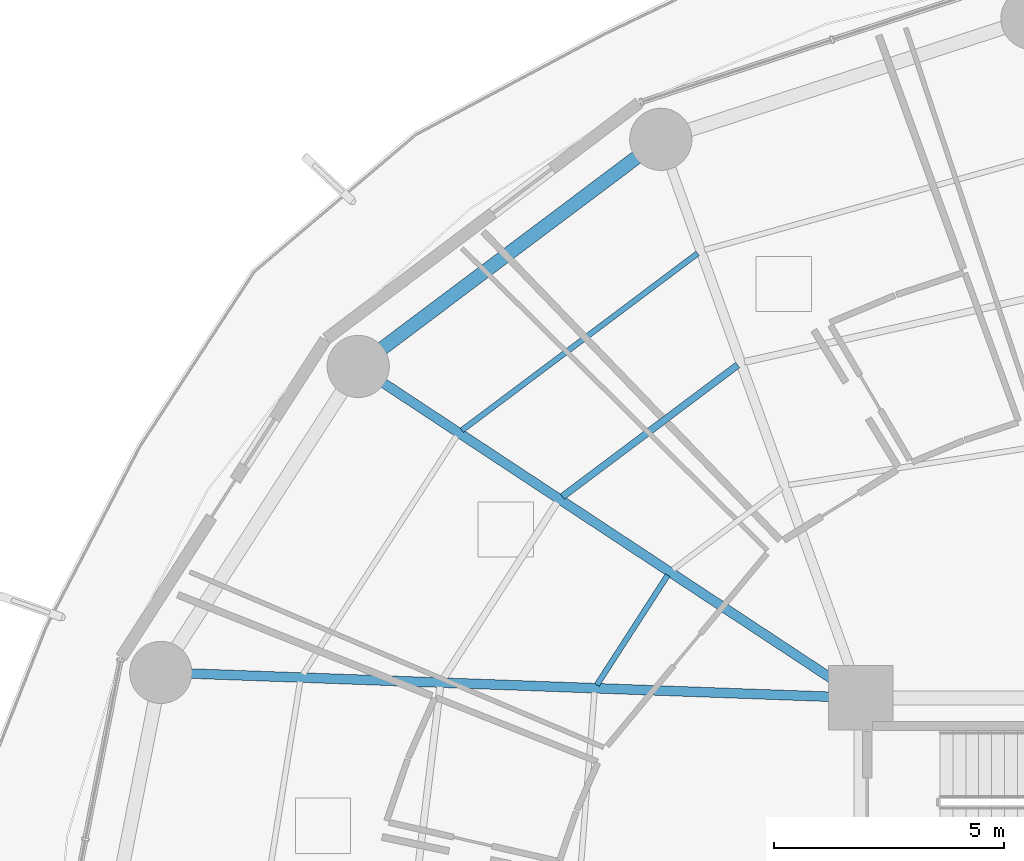
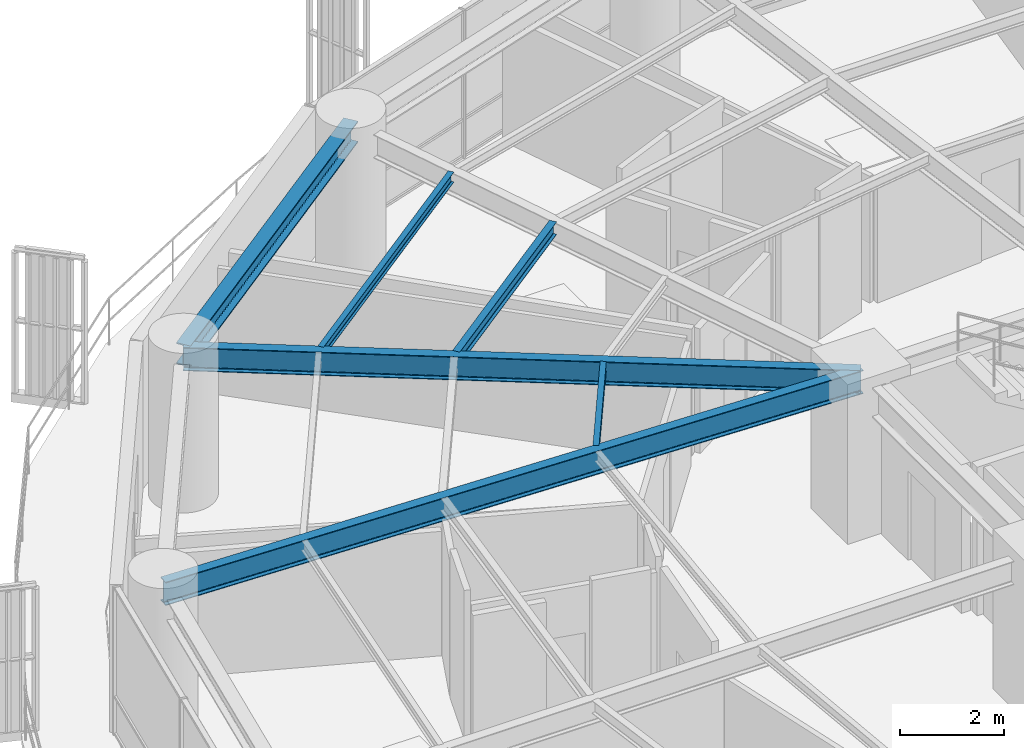
# One storey, part 16 of 33: 6 beams.
"""IFC4 building model written with IfcOpenShell, lengths in metres."""

import ifcopenshell
import ifcopenshell.guid

model = None  # the IFC model being written
_history = None  # IfcOwnerHistory: only IFC2X3 demands one
_inside = {}  # id of a spatial element -> (the spatial element, [elements in it])
_under = {}  # id of a project, library or spatial element -> (it, [spatial elements below it])
_declared = {}  # id of a project -> (the project, [libraries it declares])
_typed = {}  # id of a type object -> (the type object, [elements of that type])
_made_of = {}  # id of a material, layer set ... -> (it, [elements and type objects made of it])


def new_model(schema):
    """Start an empty IFC model of exactly this schema.

    Asked for "IFC4X3", IfcOpenShell would pick the latest addendum, in which some entities
    have other attributes; the version numbers below select the first issue.
    IFC2X3 requires an IfcOwnerHistory on every rooted entity: one is made here for all.
    """
    global model, _history
    if schema == "IFC4X3":
        model = ifcopenshell.file(schema_version=(4, 3, 0, 0))
    else:
        model = ifcopenshell.file(schema=schema)
    _inside.clear()
    _under.clear()
    _declared.clear()
    _typed.clear()
    _made_of.clear()
    _history = None
    if model.schema == "IFC2X3":
        org = make("IfcOrganization", Name="unknown")
        user = make(
            "IfcPersonAndOrganization",
            ThePerson=make("IfcPerson", FamilyName="unknown"),
            TheOrganization=org,
        )
        app = make(
            "IfcApplication",
            ApplicationDeveloper=org,
            Version="unknown",
            ApplicationFullName="unknown",
            ApplicationIdentifier="unknown",
        )
        _history = make(
            "IfcOwnerHistory",
            OwningUser=user,
            OwningApplication=app,
            ChangeAction="ADDED",
            CreationDate=0,
        )
    return model


def make(cls, **values):
    """One entity of the class cls with the attributes given. An attribute that is None is left unset."""
    return model.create_entity(
        cls, **{name: value for name, value in values.items() if value is not None}
    )


def rooted(cls, **values):
    """An entity with a GlobalId (a new one), such as an element, a storey or a relation."""
    return make(cls, GlobalId=ifcopenshell.guid.new(), OwnerHistory=_history, **values)


def si_unit(unit_type, name, prefix=None):
    """IfcSIUnit, for example si_unit("LENGTHUNIT", "METRE", prefix="MILLI")."""
    return make("IfcSIUnit", UnitType=unit_type, Prefix=prefix, Name=name)


def assignment(units):
    """IfcUnitAssignment: the units of a project."""
    return None if units is None else make("IfcUnitAssignment", Units=units)


def point(xyz):
    """IfcCartesianPoint."""
    return None if xyz is None else make("IfcCartesianPoint", Coordinates=xyz)


def direction(xyz):
    """IfcDirection."""
    return None if xyz is None else make("IfcDirection", DirectionRatios=xyz)


def frame(location, z_axis=None, x_axis=None):
    """IfcAxis2Placement3D, a coordinate frame: its origin and axes. An axis left out is left unset."""
    return make(
        "IfcAxis2Placement3D",
        Location=point(location),
        Axis=direction(z_axis),
        RefDirection=direction(x_axis),
    )


def frame_2d(location, x_axis=None):
    """IfcAxis2Placement2D, a coordinate frame in the plane: its origin and x axis."""
    return make(
        "IfcAxis2Placement2D", Location=point(location), RefDirection=direction(x_axis)
    )


def origin():
    """The frame at (0, 0, 0) with its axes left unset."""
    return frame((0.0, 0.0, 0.0))


def origin_2d():
    """The frame at (0, 0) in the plane with its x axis left unset."""
    return frame_2d((0.0, 0.0))


def place(relative_to, where):
    """IfcLocalPlacement: puts the frame where relative to a parent placement (None: the world)."""
    return make(
        "IfcLocalPlacement", PlacementRelTo=relative_to, RelativePlacement=where
    )


def context(
    kind, dimensions, precision=None, world=None, true_north=None, identifier=None
):
    """IfcGeometricRepresentationContext, for example the 3D "Model" context."""
    return make(
        "IfcGeometricRepresentationContext",
        ContextIdentifier=identifier,
        ContextType=kind,
        CoordinateSpaceDimension=dimensions,
        Precision=precision,
        WorldCoordinateSystem=world,
        TrueNorth=true_north,
    )


def subcontext(parent, identifier, kind, view, scale=None):
    """IfcGeometricRepresentationSubContext, for example "Body" below "Model"."""
    return make(
        "IfcGeometricRepresentationSubContext",
        ContextIdentifier=identifier,
        ContextType=kind,
        ParentContext=parent,
        TargetScale=scale,
        TargetView=view,
    )


def project(units=None, contexts=None):
    """IfcProject with its units and contexts."""
    return rooted(
        "IfcProject",
        Name="project",
        RepresentationContexts=contexts,
        UnitsInContext=assignment(units),
    )


def spatial(cls, under=None, at=None, **own):
    """A site, building, storey or space (cls), placed at a placement, below another one or the project."""
    s = rooted(cls, ObjectPlacement=at, **own)
    if under is not None:
        _under.setdefault(under.id(), (under, []))[1].append(s)
    return s


def profile(cls, at=None, kind="AREA", **sizes):
    """A parametric profile (cls). Its sizes go by their IFC names, for example OverallWidth=200.0."""
    return make(cls, ProfileType=kind, Position=at, **sizes)


def i_section(**sizes):
    """IfcIShapeProfileDef."""
    return profile("IfcIShapeProfileDef", **sizes)


def extrude(swept, where, along, depth):
    """IfcExtrudedAreaSolid: the profile swept, set in the frame where, extruded along a direction by depth."""
    return make(
        "IfcExtrudedAreaSolid",
        SweptArea=swept,
        Position=where,
        ExtrudedDirection=direction(along),
        Depth=depth,
    )


def shape(context_of_items, identifier, shape_type, items):
    """IfcShapeRepresentation: the items that make up one representation, for example the "Body"."""
    return make(
        "IfcShapeRepresentation",
        ContextOfItems=context_of_items,
        RepresentationIdentifier=identifier,
        RepresentationType=shape_type,
        Items=items,
    )


def material(Name=None, Category=None):
    """IfcMaterial."""
    return make("IfcMaterial", Name=Name, Category=Category)


def material_profile(
    of_material, cross_section, Name=None, Category=None, Priority=None
):
    """IfcMaterialProfile: a cross section and its material."""
    return make(
        "IfcMaterialProfile",
        Name=Name,
        Material=of_material,
        Profile=cross_section,
        Priority=Priority,
        Category=Category,
    )


def profile_set(profiles, Name=None, composite=None):
    """IfcMaterialProfileSet."""
    return make(
        "IfcMaterialProfileSet",
        Name=Name,
        MaterialProfiles=profiles,
        CompositeProfile=composite,
    )


def made_of(thing, what):
    """Note that an element or type object is made of a material, layer set ...; save() writes the relation."""
    if what is not None:
        _made_of.setdefault(what.id(), (what, []))[1].append(thing)
    return thing


def type_object(cls, material=None, **own):
    """A type object (cls), such as IfcWallType, which elements share."""
    return made_of(rooted(cls, **own), material)


def element(
    cls,
    number,
    at=None,
    inside=None,
    cuts=None,
    type_object=None,
    material=None,
    context=None,
    identifier="Body",
    shape_type=None,
    held_by="IfcProductDefinitionShape",
    body=None,
    shapes=None,
    **own,
):
    """One element of the class cls, such as IfcWall. Its Tag is "e" and its number.

    at: its placement. inside: the storey or other place that contains it. cuts: it is an
    opening in that element (IfcRelVoidsElement). A single representation is given by context,
    identifier, shape_type and body (its items); several are given by shapes. held_by: the class
    of the entity that holds the representations. save() writes the other relations.
    """
    e = rooted(cls, Tag="e%d" % number, ObjectPlacement=at, **own)
    if body is not None:
        shapes = [shape(context, identifier, shape_type, body)]
    if shapes is not None:
        e.Representation = make(held_by, Representations=shapes)
    if inside is not None:
        _inside.setdefault(inside.id(), (inside, []))[1].append(e)
    if cuts is not None:
        rooted(
            "IfcRelVoidsElement", RelatingBuildingElement=cuts, RelatedOpeningElement=e
        )
    if type_object is not None:
        _typed.setdefault(type_object.id(), (type_object, []))[1].append(e)
    return made_of(e, material)


def aggregate(whole, parts):
    """IfcRelAggregates: a whole, such as a stair, and the parts it consists of."""
    return rooted("IfcRelAggregates", RelatingObject=whole, RelatedObjects=parts)


def save(model, path):
    """Write the relations noted so far, then the file.

    IfcRelAggregates (storeys below a building ...), IfcRelContainedInSpatialStructure (elements
    in a storey), IfcRelDefinesByType, IfcRelAssociatesMaterial and IfcRelDeclares: one each for
    every whole, place, type object, material and project.
    """
    for whole, parts in _under.values():
        aggregate(whole, parts)
    for where, things in _inside.values():
        rooted(
            "IfcRelContainedInSpatialStructure",
            RelatedElements=things,
            RelatingStructure=where,
        )
    for kind, things in _typed.values():
        rooted("IfcRelDefinesByType", RelatedObjects=things, RelatingType=kind)
    for what, things in _made_of.values():
        rooted("IfcRelAssociatesMaterial", RelatedObjects=things, RelatingMaterial=what)
    for by, libraries in _declared.values():
        rooted("IfcRelDeclares", RelatingContext=by, RelatedDefinitions=libraries)
    model.write(path)


model = new_model("IFC4")

# Units and contexts
model_context = context("Model", 3, precision=1e-05, world=origin(), true_north=direction((0.0, 1.0)))
body_context = subcontext(model_context, "Body", "Model", "MODEL_VIEW")
ifc_project = project(units=[si_unit("LENGTHUNIT", "METRE"), si_unit("AREAUNIT", "SQUARE_METRE"), si_unit("VOLUMEUNIT", "CUBIC_METRE"), si_unit("PLANEANGLEUNIT", "RADIAN"), si_unit("MASSUNIT", "GRAM", prefix="KILO")], contexts=[model_context])

# Site, building, storey
site_placement = place(None, origin())
site = spatial("IfcSite", under=ifc_project, at=site_placement, CompositionType="ELEMENT")
building_placement = place(site_placement, origin())
building = spatial("IfcBuilding", under=site, at=building_placement, Name="Kelanora Arch Commons", CompositionType="ELEMENT")
storey_placement = place(building_placement, frame((0.0, 0.0, 80.10009765625)))
storey = spatial("IfcBuildingStorey", under=building, at=storey_placement, Name="L20", CompositionType="ELEMENT", Elevation=80.10009765625)

# Beams
ifc_material = material(Name="Steel S355", Category="steel")
ifc_material_profile_1 = material_profile(ifc_material, i_section(OverallWidth=0.14990234375, OverallDepth=0.300048828125, WebThickness=0.007080078125, FlangeThickness=0.0107421875, FilletRadius=0.014892578125, at=origin_2d()), Name="IPE300")
ifc_profile_set_1 = profile_set([ifc_material_profile_1], Name="Steel S355")
beam_type_1 = type_object("IfcBeamType", Name="BM-JST-01", PredefinedType="JOIST", material=ifc_profile_set_1)
beam_1_placement = place(storey_placement, frame((63.327880859375, 72.22216796875, 3.33984375), z_axis=(-0.79971039107, -0.600385951214, 0.0), x_axis=(0.600385951214, -0.79971039107, 0.0)))
element("IfcBeam", 1, at=beam_1_placement, inside=storey, type_object=beam_type_1, Name="Secondary Chord Joist BJB-12 L20", PredefinedType="JOIST", context=body_context, shape_type="SweptSolid", body=[
    extrude(i_section(OverallWidth=0.14990234375, OverallDepth=0.300048828125, WebThickness=0.007080078125, FlangeThickness=0.0107421875, FilletRadius=0.014892578125, at=origin_2d()), origin(), (0.0, 0.0, 1.0), 4.756103515625),
])
ifc_material_profile_2 = material_profile(ifc_material, i_section(OverallWidth=0.1201171875, OverallDepth=0.239990234375, WebThickness=0.006103515625, FlangeThickness=0.009765625, FilletRadius=0.014892578125, at=origin_2d()), Name="IPE240")
ifc_profile_set_2 = profile_set([ifc_material_profile_2], Name="Steel S355")
beam_type_2 = type_object("IfcBeamType", Name="BM-JST-02", PredefinedType="JOIST", material=ifc_profile_set_2)
beam_2_placement = place(storey_placement, frame((62.4599609375, 74.646484375, 3.369873046875), z_axis=(-0.799734335646, -0.600354055861, 0.0), x_axis=(0.600354055861, -0.799734335646, 0.0)))
element("IfcBeam", 2, at=beam_2_placement, inside=storey, type_object=beam_type_2, Name="Secondary Chord Joist BJC-12 L20", PredefinedType="JOIST", context=body_context, shape_type="SweptSolid", body=[
    extrude(i_section(OverallWidth=0.1201171875, OverallDepth=0.239990234375, WebThickness=0.006103515625, FlangeThickness=0.009765625, FilletRadius=0.014892578125, at=origin_2d()), origin(), (0.0, 0.0, 1.0), 6.39794921875),
])
beam_3_placement = place(storey_placement, frame((61.8095703125, 67.661865234375, 3.369873046875), z_axis=(-0.542211255502, -0.840242199849, 0.0), x_axis=(0.840242199849, -0.542211255502, 0.0)))
element("IfcBeam", 3, at=beam_3_placement, inside=storey, type_object=beam_type_2, Name="Secondary Chord Joist BJA-14 L20", PredefinedType="JOIST", context=body_context, shape_type="SweptSolid", body=[
    extrude(i_section(OverallWidth=0.1201171875, OverallDepth=0.239990234375, WebThickness=0.006103515625, FlangeThickness=0.009765625, FilletRadius=0.014892578125, at=origin_2d()), origin(), (0.0, 0.0, 1.0), 2.83349609375),
])
ifc_material_profile_3 = material_profile(ifc_material, i_section(OverallWidth=0.2099609375, OverallDepth=0.550048828125, WebThickness=0.010986328125, FlangeThickness=0.01708984375, FilletRadius=0.02392578125, at=origin_2d()), Name="IPE550")
ifc_profile_set_3 = profile_set([ifc_material_profile_3], Name="Steel S355")
beam_type_3 = type_object("IfcBeamType", Name="BM-RAD-Z2", PredefinedType="BEAM", material=ifc_profile_set_3)
beam_4_placement = place(storey_placement, frame((66.0, 65.0, 3.21484375), z_axis=(-0.834788577908, 0.550570640512, 0.0), x_axis=(-0.550570640512, -0.834788577908, 0.0)))
element("IfcBeam", 4, at=beam_4_placement, inside=storey, type_object=beam_type_3, Name="Radial Floor Girder BR-14 L20", PredefinedType="BEAM", context=body_context, shape_type="SweptSolid", body=[
    extrude(i_section(OverallWidth=0.2099609375, OverallDepth=0.550048828125, WebThickness=0.010986328125, FlangeThickness=0.01708984375, FilletRadius=0.02392578125, at=origin_2d()), origin(), (0.0, 0.0, 1.0), 13.064453125),
])
beam_5_placement = place(storey_placement, frame((66.0, 65.0, 3.21484375), z_axis=(-0.999341087625, 0.036295875581, 0.0), x_axis=(-0.036295875581, -0.999341087625, 0.0)))
element("IfcBeam", 5, at=beam_5_placement, inside=storey, type_object=beam_type_3, Name="Radial Floor Girder BR-16 L20", PredefinedType="BEAM", context=body_context, shape_type="SweptSolid", body=[
    extrude(i_section(OverallWidth=0.2099609375, OverallDepth=0.550048828125, WebThickness=0.010986328125, FlangeThickness=0.01708984375, FilletRadius=0.02392578125, at=origin_2d()), origin(), (0.0, 0.0, 1.0), 15.20166015625),
])
ifc_material_profile_4 = material_profile(ifc_material, i_section(OverallWidth=0.300048828125, OverallDepth=0.5, WebThickness=0.014404296875, FlangeThickness=0.028076171875, FilletRadius=0.027099609375, at=origin_2d()), Name="HEB500")
ifc_profile_set_4 = profile_set([ifc_material_profile_4], Name="Steel S355")
beam_type_4 = type_object("IfcBeamType", Name="BM-SPN-Z2", PredefinedType="SPANDREL", material=ifc_profile_set_4)
beam_6_placement = place(storey_placement, frame((61.659912109375, 77.121826171875, 3.239990234375), z_axis=(-0.799735861602, -0.600352023123, 0.0), x_axis=(0.600352023123, -0.799735861602, 0.0)))
element("IfcBeam", 6, at=beam_6_placement, inside=storey, type_object=beam_type_4, Name="Perimeter Spandrel Beam BS-12 L20", PredefinedType="SPANDREL", context=body_context, shape_type="SweptSolid", body=[
    extrude(i_section(OverallWidth=0.300048828125, OverallDepth=0.5, WebThickness=0.014404296875, FlangeThickness=0.028076171875, FilletRadius=0.027099609375, at=origin_2d()), origin(), (0.0, 0.0, 1.0), 8.210205078125),
])

save(model, "model.ifc")
